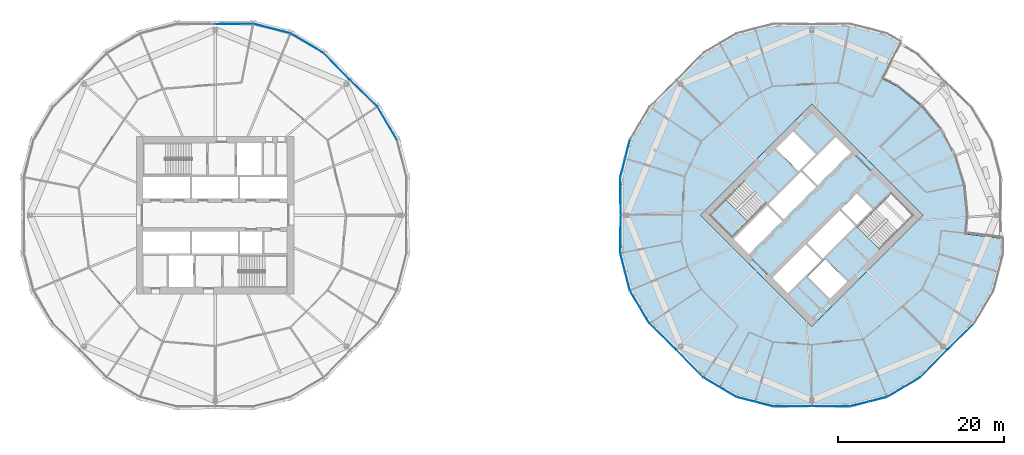
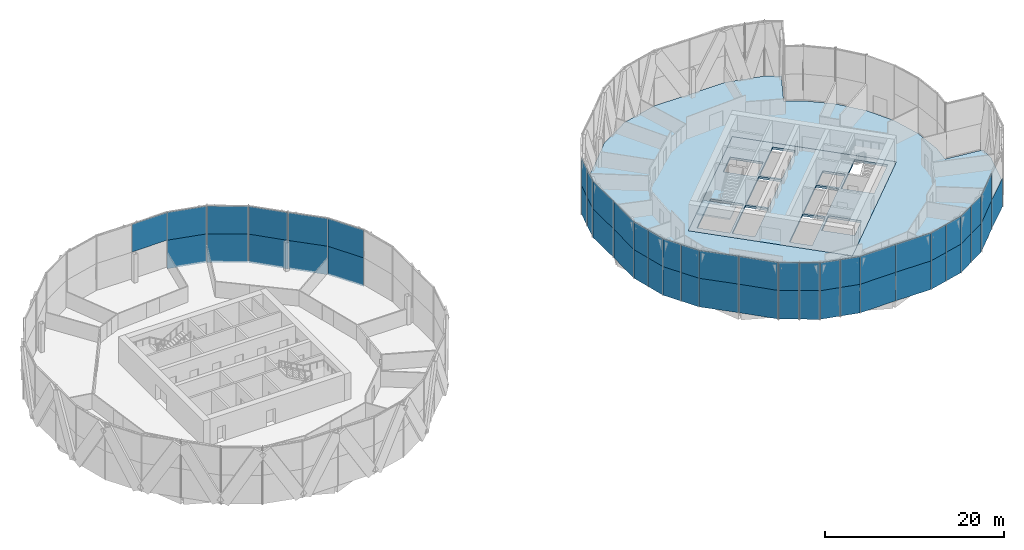
# One storey, part 17 of 27: 54 plates, 3 slabs, 8 elements without a shape of their own.
"""IFC4 building model written with IfcOpenShell, lengths in metres."""

from ifc_helpers import new_model, si_unit, direction, frame, origin, origin_2d, place, context, subcontext, project, spatial, polyline, rectangle, outline, extrude, material, layer, layer_set, type_object, element, aggregate, save


model = new_model("IFC4")

# Units and contexts
model_context = context("Model", 3, precision=1e-05, world=origin(), true_north=direction((0.0, 1.0)))
body_context = subcontext(model_context, "Body", "Model", "MODEL_VIEW")
ifc_project = project(units=[si_unit("LENGTHUNIT", "METRE"), si_unit("AREAUNIT", "SQUARE_METRE"), si_unit("VOLUMEUNIT", "CUBIC_METRE"), si_unit("PLANEANGLEUNIT", "RADIAN"), si_unit("MASSUNIT", "GRAM", prefix="KILO")], contexts=[model_context])

# Site, building, storey
site_placement = place(None, origin())
site = spatial("IfcSite", under=ifc_project, at=site_placement, CompositionType="ELEMENT")
building_placement = place(site_placement, origin())
building = spatial("IfcBuilding", under=site, at=building_placement, Name="Ogive Gate Towers", CompositionType="ELEMENT")
storey_placement = place(building_placement, frame((0.0, 0.0, 123.0)))
storey = spatial("IfcBuildingStorey", under=building, at=storey_placement, Name="L29", CompositionType="ELEMENT", Elevation=123.0)

# Slabs
ifc_material_1 = material(Name="Concrete C40/50", Category="concrete")
ifc_layer_1 = layer(ifc_material_1, 0.300048828125)
ifc_layer_set_1 = layer_set([ifc_layer_1], Name="Core slab C40/50 300 mm")
slab_type_1 = type_object("IfcSlabType", Name="Core slab C40/50 300 mm", PredefinedType="FLOOR", material=ifc_layer_set_1)
slab_1_placement = place(storey_placement, frame((0.0, 0.0, -0.300048828125)))
element("IfcSlab", 1, at=slab_1_placement, inside=storey, type_object=slab_type_1, Name="T2 L29 core slab", PredefinedType="FLOOR", context=body_context, shape_type="SweptSolid", body=[
    extrude(outline(polyline([(36.0, 13.43505859375), (49.43505859375, 0.0), (36.0, -13.43505859375), (22.56494140625, 0.0), (36.0, 13.43505859375)]), holes=[polyline([(30.590576171875, 1.13134765625), (26.577880859375, -2.881591796875), (28.43408203125, -4.737548828125), (32.44677734375, -0.724853515625), (30.590576171875, 1.13134765625)]), polyline([(36.548095703125, 3.37646484375), (34.69189453125, 5.232666015625), (30.767333984375, 1.30810546875), (32.62353515625, -0.548095703125), (36.548095703125, 3.37646484375)]), polyline([(36.724853515625, 3.55322265625), (40.737548828125, 7.56591796875), (38.881591796875, 9.422119140625), (34.86865234375, 5.409423828125), (36.724853515625, 3.55322265625)]), polyline([(31.262451171875, -7.56591796875), (33.118408203125, -9.422119140625), (37.13134765625, -5.409423828125), (35.275146484375, -3.55322265625), (31.262451171875, -7.56591796875)]), polyline([(39.37646484375, 0.548095703125), (35.451904296875, -3.37646484375), (37.30810546875, -5.232666015625), (41.232666015625, -1.30810546875), (39.37646484375, 0.548095703125)]), polyline([(43.283203125, 0.742431640625), (41.427001953125, 2.5986328125), (39.55322265625, 0.724853515625), (41.409423828125, -1.13134765625), (43.283203125, 0.742431640625)]), polyline([(34.408935546875, 5.30322265625), (36.4951171875, 7.389404296875), (33.790283203125, 10.093994140625), (31.704345703125, 8.008056640625), (34.408935546875, 5.30322265625)]), polyline([(35.5048828125, -7.389404296875), (38.209716796875, -10.093994140625), (40.295654296875, -8.008056640625), (37.591064453125, -5.30322265625), (35.5048828125, -7.389404296875)]), polyline([(26.40087890625, -2.70458984375), (30.512939453125, 1.406982421875), (27.80810546875, 4.11181640625), (23.6962890625, 0.0), (26.40087890625, -2.70458984375)]), polyline([(48.3037109375, 0.0), (45.59912109375, 2.70458984375), (41.487060546875, -1.406982421875), (44.19189453125, -4.11181640625), (48.3037109375, 0.0)])]), origin(), (0.0, 0.0, 1.0), 0.300048828125),
])
ifc_material_2 = material(Name="Concrete C35/45", Category="concrete")
ifc_layer_2 = layer(ifc_material_2, 0.300048828125)
ifc_layer_set_2 = layer_set([ifc_layer_2], Name="Floor slab 300")
slab_type_2 = type_object("IfcSlabType", Name="Floor slab 300", PredefinedType="FLOOR", material=ifc_layer_set_2)
slab_2_placement = place(storey_placement, frame((0.0, 0.0, -0.300048828125)))
element("IfcSlab", 2, at=slab_2_placement, inside=storey, type_object=slab_type_2, Name="T2/L29/SSL001", PredefinedType="FLOOR", context=body_context, shape_type="SweptSolid", body=[
    extrude(outline(polyline([(57.849853515625, -9.050537109375), (58.99951171875, -4.574951171875), (58.98046875, -2.821533203125), (54.42724609375, -2.262451171875), (54.64990234375, 0.0), (54.291748046875, 3.638427734375), (53.23046875, 7.136962890625), (51.5068359375, 10.361328125), (49.1875, 13.1875), (46.361328125, 15.5068359375), (44.427734375, 16.54052734375), (46.65087890625, 20.903564453125), (45.050537109375, 21.849853515625), (40.574951171875, 22.99951171875), (36.0, 22.949951171875), (31.425048828125, 22.99951171875), (26.949462890625, 21.849853515625), (22.971923828125, 19.498046875), (19.77197265625, 16.22802734375), (16.501953125, 13.028076171875), (14.150146484375, 9.050537109375), (13.00048828125, 4.574951171875), (13.050048828125, 0.0), (13.00048828125, -4.574951171875), (14.150146484375, -9.050537109375), (16.501953125, -13.028076171875), (19.77197265625, -16.22802734375), (22.971923828125, -19.498046875), (26.949462890625, -21.849853515625), (31.425048828125, -22.99951171875), (36.0, -22.949951171875), (40.574951171875, -22.99951171875), (45.050537109375, -21.849853515625), (49.028076171875, -19.498046875), (52.22802734375, -16.22802734375), (55.498046875, -13.028076171875), (57.849853515625, -9.050537109375)]), holes=[polyline([(49.43505859375, 0.0), (36.0, -13.43505859375), (22.56494140625, 0.0), (36.0, 13.43505859375), (49.43505859375, 0.0)])]), origin(), (0.0, 0.0, 1.0), 0.300048828125),
])

# Stair, slab
stair_type = type_object("IfcStairType", Name="Escape stair 1840 wide", PredefinedType="HALF_TURN_STAIR", material=ifc_material_1)
stair_placement = place(storey_placement, origin())
stair = element("IfcStair", 3, at=stair_placement, inside=storey, type_object=stair_type, Name="L29 Escape stair 1", PredefinedType="HALF_TURN_STAIR")
ifc_layer_3 = layer(ifc_material_1, 0.199951171875)
ifc_layer_set_3 = layer_set([ifc_layer_3], Name="Stair landing 200 mm")
slab_type_3 = type_object("IfcSlabType", Name="Stair landing 200 mm", PredefinedType="LANDING", material=ifc_layer_set_3)
slab_3_placement = place(storey_placement, frame((0.0, 0.0, 1.75)))
slab_3 = element("IfcSlab", 4, at=slab_3_placement, type_object=slab_type_3, Name="ST1 landing 1", PredefinedType="LANDING", context=body_context, shape_type="SweptSolid", body=[
    extrude(outline(polyline([(25.6044921875, 1.908203125), (23.6962890625, 0.0), (26.401123046875, -2.70458984375), (28.309326171875, -0.79638671875), (25.6044921875, 1.908203125)])), origin(), (0.0, 0.0, 1.0), 0.199951171875),
])
aggregate(stair, [slab_3])

# Curtain wall, plates
ifc_material_3 = material(Name="Pale metal aluminium", Category="aluminium")
curtain_wall_type = type_object("IfcCurtainWallType", Name="Tower unitised wall, low zone", PredefinedType="NOTDEFINED", material=ifc_material_3)
curtain_wall_1_placement = place(storey_placement, origin())
curtain_wall_1 = element("IfcCurtainWall", 5, at=curtain_wall_1_placement, inside=storey, type_object=curtain_wall_type, Name="CW1 T1 ECW01", PredefinedType="NOTDEFINED")
ifc_material_4 = material(Name="Clear glass", Category="glass")
ifc_layer_4 = layer(ifc_material_4, 0.028076171875)
ifc_layer_set_4 = layer_set([ifc_layer_4], Name="Tower unitised wall, low zone glass panel")
plate_type = type_object("IfcPlateType", Name="Tower unitised wall, low zone glass panel", PredefinedType="CURTAIN_PANEL", material=ifc_layer_set_4)
plate_1_placement = place(storey_placement, frame((-15.23974609375, 11.08984375, -0.300048828125), z_axis=(0.0, 0.0, 1.0), x_axis=(-0.508951276265, 0.860795328977, 0.0)))
plate_1 = element("IfcPlate", 6, at=plate_1_placement, type_object=plate_type, Name="CW1 glass panel", PredefinedType="CURTAIN_PANEL", context=body_context, shape_type="SweptSolid", body=[
    extrude(rectangle(XDim=4.58642578125, YDim=0.028076171875, at=origin_2d()), origin(), (0.0, 0.0, 1.0), 3.89990234375),
])
plate_2_placement = place(storey_placement, frame((-15.23974609375, 11.08984375, 3.60009765625), z_axis=(0.0, 0.0, 1.0), x_axis=(-0.508951276265, 0.860795328977, 0.0)))
plate_2 = element("IfcPlate", 7, at=plate_2_placement, type_object=plate_type, Name="CW1 glass panel", PredefinedType="CURTAIN_PANEL", context=body_context, shape_type="SweptSolid", body=[
    extrude(rectangle(XDim=4.58642578125, YDim=0.028076171875, at=origin_2d()), origin(), (0.0, 0.0, 1.0), 3.803955078125),
])
plate_3_placement = place(storey_placement, frame((-18.063232421875, 14.69580078125, -0.300048828125), z_axis=(0.0, 0.0, 1.0), x_axis=(-0.714704657494, 0.699426373935, 0.0)))
plate_3 = element("IfcPlate", 8, at=plate_3_placement, type_object=plate_type, Name="CW1 glass panel", PredefinedType="CURTAIN_PANEL", context=body_context, shape_type="SweptSolid", body=[
    extrude(rectangle(XDim=4.529296875, YDim=0.028076171875, at=origin_2d()), origin(), (0.0, 0.0, 1.0), 3.89990234375),
])
plate_4_placement = place(storey_placement, frame((-18.063232421875, 14.69580078125, 3.60009765625), z_axis=(0.0, 0.0, 1.0), x_axis=(-0.714704657494, 0.699426373935, 0.0)))
plate_4 = element("IfcPlate", 9, at=plate_4_placement, type_object=plate_type, Name="CW1 glass panel", PredefinedType="CURTAIN_PANEL", context=body_context, shape_type="SweptSolid", body=[
    extrude(rectangle(XDim=4.529296875, YDim=0.028076171875, at=origin_2d()), origin(), (0.0, 0.0, 1.0), 3.803955078125),
])
aggregate(curtain_wall_1, [plate_1, plate_2, plate_3, plate_4])

curtain_wall_2_placement = place(storey_placement, origin())
curtain_wall_2 = element("IfcCurtainWall", 10, at=curtain_wall_2_placement, inside=storey, type_object=curtain_wall_type, Name="CW1 T1 ECW02", PredefinedType="NOTDEFINED")
plate_5_placement = place(storey_placement, frame((-21.30419921875, 17.936767578125, -0.300048828125), z_axis=(0.0, 0.0, 1.0), x_axis=(-0.699426373935, 0.714704657494, 0.0)))
plate_5 = element("IfcPlate", 11, at=plate_5_placement, type_object=plate_type, Name="CW1 glass panel", PredefinedType="CURTAIN_PANEL", context=body_context, shape_type="SweptSolid", body=[
    extrude(rectangle(XDim=4.529296875, YDim=0.028076171875, at=origin_2d()), origin(), (0.0, 0.0, 1.0), 3.89990234375),
])
plate_6_placement = place(storey_placement, frame((-21.30419921875, 17.936767578125, 3.60009765625), z_axis=(0.0, 0.0, 1.0), x_axis=(-0.699426373935, 0.714704657494, 0.0)))
plate_6 = element("IfcPlate", 12, at=plate_6_placement, type_object=plate_type, Name="CW1 glass panel", PredefinedType="CURTAIN_PANEL", context=body_context, shape_type="SweptSolid", body=[
    extrude(rectangle(XDim=4.529296875, YDim=0.028076171875, at=origin_2d()), origin(), (0.0, 0.0, 1.0), 3.803955078125),
])
plate_7_placement = place(storey_placement, frame((-24.91015625, 20.76025390625, -0.300048828125), z_axis=(0.0, 0.0, 1.0), x_axis=(-0.860795328977, 0.508951276265, 0.0)))
plate_7 = element("IfcPlate", 13, at=plate_7_placement, type_object=plate_type, Name="CW1 glass panel", PredefinedType="CURTAIN_PANEL", context=body_context, shape_type="SweptSolid", body=[
    extrude(rectangle(XDim=4.58642578125, YDim=0.028076171875, at=origin_2d()), origin(), (0.0, 0.0, 1.0), 3.89990234375),
])
plate_8_placement = place(storey_placement, frame((-24.91015625, 20.76025390625, 3.60009765625), z_axis=(0.0, 0.0, 1.0), x_axis=(-0.860795328977, 0.508951276265, 0.0)))
plate_8 = element("IfcPlate", 14, at=plate_8_placement, type_object=plate_type, Name="CW1 glass panel", PredefinedType="CURTAIN_PANEL", context=body_context, shape_type="SweptSolid", body=[
    extrude(rectangle(XDim=4.58642578125, YDim=0.028076171875, at=origin_2d()), origin(), (0.0, 0.0, 1.0), 3.803955078125),
])
plate_9_placement = place(storey_placement, frame((-29.162109375, 22.521484375, -0.300048828125), z_axis=(0.0, 0.0, 1.0), x_axis=(-0.968552770699, 0.248808220065, 0.0)))
plate_9 = element("IfcPlate", 15, at=plate_9_placement, type_object=plate_type, Name="CW1 glass panel", PredefinedType="CURTAIN_PANEL", context=body_context, shape_type="SweptSolid", body=[
    extrude(rectangle(XDim=4.58642578125, YDim=0.028076171875, at=origin_2d()), origin(), (0.0, 0.0, 1.0), 3.89990234375),
])
plate_10_placement = place(storey_placement, frame((-29.162109375, 22.521484375, 3.60009765625), z_axis=(0.0, 0.0, 1.0), x_axis=(-0.968552770699, 0.248808220065, 0.0)))
plate_10 = element("IfcPlate", 16, at=plate_10_placement, type_object=plate_type, Name="CW1 glass panel", PredefinedType="CURTAIN_PANEL", context=body_context, shape_type="SweptSolid", body=[
    extrude(rectangle(XDim=4.58642578125, YDim=0.028076171875, at=origin_2d()), origin(), (0.0, 0.0, 1.0), 3.803955078125),
])
plate_11_placement = place(storey_placement, frame((-33.70849609375, 23.07470703125, 3.60009765625), z_axis=(0.0, 0.0, 1.0), x_axis=(-0.999941453103, -0.010820830182, 0.0)))
plate_11 = element("IfcPlate", 17, at=plate_11_placement, type_object=plate_type, Name="CW1 glass panel", PredefinedType="CURTAIN_PANEL", context=body_context, shape_type="SweptSolid", body=[
    extrude(rectangle(XDim=4.529296875, YDim=0.028076171875, at=origin_2d()), origin(), (0.0, 0.0, 1.0), 3.803955078125),
])
aggregate(curtain_wall_2, [plate_5, plate_6, plate_7, plate_8, plate_9, plate_10, plate_11])

curtain_wall_3_placement = place(storey_placement, origin())
curtain_wall_3 = element("IfcCurtainWall", 18, at=curtain_wall_3_placement, inside=storey, type_object=curtain_wall_type, Name="CW1 T2 ECW06", PredefinedType="NOTDEFINED")
plate_12_placement = place(storey_placement, frame((12.92529296875, 2.29150390625, -0.300048828125), z_axis=(0.0, 0.0, 1.0), x_axis=(-0.010820830182, 0.999941453103, 0.0)))
plate_12 = element("IfcPlate", 19, at=plate_12_placement, type_object=plate_type, Name="CW1 glass panel", PredefinedType="CURTAIN_PANEL", context=body_context, shape_type="SweptSolid", body=[
    extrude(rectangle(XDim=4.529296875, YDim=0.028076171875, at=origin_2d()), origin(), (0.0, 0.0, 1.0), 3.89990234375),
])
plate_13_placement = place(storey_placement, frame((12.92529296875, 2.29150390625, 3.60009765625), z_axis=(0.0, 0.0, 1.0), x_axis=(-0.010820830182, 0.999941453103, 0.0)))
plate_13 = element("IfcPlate", 20, at=plate_13_placement, type_object=plate_type, Name="CW1 glass panel", PredefinedType="CURTAIN_PANEL", context=body_context, shape_type="SweptSolid", body=[
    extrude(rectangle(XDim=4.529296875, YDim=0.028076171875, at=origin_2d()), origin(), (0.0, 0.0, 1.0), 3.803955078125),
])
plate_14_placement = place(storey_placement, frame((13.18994140625, 5.71435546875, -0.300048828125), z_axis=(0.0, 0.0, 1.0), x_axis=(0.248825124462, 0.968548428028, 0.0)))
plate_14 = element("IfcPlate", 21, at=plate_14_placement, type_object=plate_type, Name="CW1 glass panel", PredefinedType="CURTAIN_PANEL", context=body_context, shape_type="SweptSolid", body=[
    extrude(rectangle(XDim=2.266357421875, YDim=0.028076171875, at=origin_2d()), origin(), (0.0, 0.0, 1.0), 3.89990234375),
])
plate_15_placement = place(storey_placement, frame((13.18994140625, 5.71435546875, 3.60009765625), z_axis=(0.0, 0.0, 1.0), x_axis=(0.248825124462, 0.968548428028, 0.0)))
plate_15 = element("IfcPlate", 22, at=plate_15_placement, type_object=plate_type, Name="CW1 glass panel", PredefinedType="CURTAIN_PANEL", context=body_context, shape_type="SweptSolid", body=[
    extrude(rectangle(XDim=2.266357421875, YDim=0.028076171875, at=origin_2d()), origin(), (0.0, 0.0, 1.0), 3.803955078125),
])
plate_16_placement = place(storey_placement, frame((13.767333984375, 7.961669921875, -0.300048828125), z_axis=(0.0, 0.0, 1.0), x_axis=(0.248774411044, 0.968561455154, 0.0)))
plate_16 = element("IfcPlate", 23, at=plate_16_placement, type_object=plate_type, Name="CW1 glass panel", PredefinedType="CURTAIN_PANEL", context=body_context, shape_type="SweptSolid", body=[
    extrude(rectangle(XDim=2.26611328125, YDim=0.028076171875, at=origin_2d()), origin(), (0.0, 0.0, 1.0), 3.89990234375),
])
plate_17_placement = place(storey_placement, frame((13.767333984375, 7.961669921875, 3.60009765625), z_axis=(0.0, 0.0, 1.0), x_axis=(0.248774411044, 0.968561455154, 0.0)))
plate_17 = element("IfcPlate", 24, at=plate_17_placement, type_object=plate_type, Name="CW1 glass panel", PredefinedType="CURTAIN_PANEL", context=body_context, shape_type="SweptSolid", body=[
    extrude(rectangle(XDim=2.26611328125, YDim=0.028076171875, at=origin_2d()), origin(), (0.0, 0.0, 1.0), 3.803955078125),
])
aggregate(curtain_wall_3, [plate_12, plate_13, plate_14, plate_15, plate_16, plate_17])

curtain_wall_4_placement = place(storey_placement, origin())
curtain_wall_4 = element("IfcCurtainWall", 25, at=curtain_wall_4_placement, inside=storey, type_object=curtain_wall_type, Name="CW1 T2 ECW07", PredefinedType="NOTDEFINED")
plate_18_placement = place(storey_placement, frame((18.063232421875, -14.69580078125, -0.300048828125), z_axis=(0.0, 0.0, 1.0), x_axis=(-0.714704657494, 0.699426373935, 0.0)))
plate_18 = element("IfcPlate", 26, at=plate_18_placement, type_object=plate_type, Name="CW1 glass panel", PredefinedType="CURTAIN_PANEL", context=body_context, shape_type="SweptSolid", body=[
    extrude(rectangle(XDim=4.529296875, YDim=0.028076171875, at=origin_2d()), origin(), (0.0, 0.0, 1.0), 3.89990234375),
])
plate_19_placement = place(storey_placement, frame((18.063232421875, -14.69580078125, 3.60009765625), z_axis=(0.0, 0.0, 1.0), x_axis=(-0.714704657494, 0.699426373935, 0.0)))
plate_19 = element("IfcPlate", 27, at=plate_19_placement, type_object=plate_type, Name="CW1 glass panel", PredefinedType="CURTAIN_PANEL", context=body_context, shape_type="SweptSolid", body=[
    extrude(rectangle(XDim=4.529296875, YDim=0.028076171875, at=origin_2d()), origin(), (0.0, 0.0, 1.0), 3.803955078125),
])
plate_20_placement = place(storey_placement, frame((15.830322265625, -12.08837890625, -0.300048828125), z_axis=(0.0, 0.0, 1.0), x_axis=(-0.508936252475, 0.860804211721, 0.0)))
plate_20 = element("IfcPlate", 28, at=plate_20_placement, type_object=plate_type, Name="CW1 glass panel", PredefinedType="CURTAIN_PANEL", context=body_context, shape_type="SweptSolid", body=[
    extrude(rectangle(XDim=2.266357421875, YDim=0.028076171875, at=origin_2d()), origin(), (0.0, 0.0, 1.0), 3.89990234375),
])
plate_21_placement = place(storey_placement, frame((15.830322265625, -12.08837890625, 3.60009765625), z_axis=(0.0, 0.0, 1.0), x_axis=(-0.508936252475, 0.860804211721, 0.0)))
plate_21 = element("IfcPlate", 29, at=plate_21_placement, type_object=plate_type, Name="CW1 glass panel", PredefinedType="CURTAIN_PANEL", context=body_context, shape_type="SweptSolid", body=[
    extrude(rectangle(XDim=2.266357421875, YDim=0.028076171875, at=origin_2d()), origin(), (0.0, 0.0, 1.0), 3.803955078125),
])
plate_22_placement = place(storey_placement, frame((14.6494140625, -10.091064453125, -0.300048828125), z_axis=(0.0, 0.0, 1.0), x_axis=(-0.5089662999, 0.86078644597, 0.0)))
plate_22 = element("IfcPlate", 30, at=plate_22_placement, type_object=plate_type, Name="CW1 glass panel", PredefinedType="CURTAIN_PANEL", context=body_context, shape_type="SweptSolid", body=[
    extrude(rectangle(XDim=2.26611328125, YDim=0.028076171875, at=origin_2d()), origin(), (0.0, 0.0, 1.0), 3.89990234375),
])
plate_23_placement = place(storey_placement, frame((14.6494140625, -10.091064453125, 3.60009765625), z_axis=(0.0, 0.0, 1.0), x_axis=(-0.5089662999, 0.86078644597, 0.0)))
plate_23 = element("IfcPlate", 31, at=plate_23_placement, type_object=plate_type, Name="CW1 glass panel", PredefinedType="CURTAIN_PANEL", context=body_context, shape_type="SweptSolid", body=[
    extrude(rectangle(XDim=2.26611328125, YDim=0.028076171875, at=origin_2d()), origin(), (0.0, 0.0, 1.0), 3.803955078125),
])
plate_24_placement = place(storey_placement, frame((13.767333984375, -7.961669921875, -0.300048828125), z_axis=(0.0, 0.0, 1.0), x_axis=(-0.248774411044, 0.968561455154, 0.0)))
plate_24 = element("IfcPlate", 32, at=plate_24_placement, type_object=plate_type, Name="CW1 glass panel", PredefinedType="CURTAIN_PANEL", context=body_context, shape_type="SweptSolid", body=[
    extrude(rectangle(XDim=2.26611328125, YDim=0.028076171875, at=origin_2d()), origin(), (0.0, 0.0, 1.0), 3.89990234375),
])
plate_25_placement = place(storey_placement, frame((13.767333984375, -7.961669921875, 3.60009765625), z_axis=(0.0, 0.0, 1.0), x_axis=(-0.248774411044, 0.968561455154, 0.0)))
plate_25 = element("IfcPlate", 33, at=plate_25_placement, type_object=plate_type, Name="CW1 glass panel", PredefinedType="CURTAIN_PANEL", context=body_context, shape_type="SweptSolid", body=[
    extrude(rectangle(XDim=2.26611328125, YDim=0.028076171875, at=origin_2d()), origin(), (0.0, 0.0, 1.0), 3.803955078125),
])
plate_26_placement = place(storey_placement, frame((13.18994140625, -5.71435546875, -0.300048828125), z_axis=(0.0, 0.0, 1.0), x_axis=(-0.248825124462, 0.968548428028, 0.0)))
plate_26 = element("IfcPlate", 34, at=plate_26_placement, type_object=plate_type, Name="CW1 glass panel", PredefinedType="CURTAIN_PANEL", context=body_context, shape_type="SweptSolid", body=[
    extrude(rectangle(XDim=2.266357421875, YDim=0.028076171875, at=origin_2d()), origin(), (0.0, 0.0, 1.0), 3.89990234375),
])
plate_27_placement = place(storey_placement, frame((13.18994140625, -5.71435546875, 3.60009765625), z_axis=(0.0, 0.0, 1.0), x_axis=(-0.248825124462, 0.968548428028, 0.0)))
plate_27 = element("IfcPlate", 35, at=plate_27_placement, type_object=plate_type, Name="CW1 glass panel", PredefinedType="CURTAIN_PANEL", context=body_context, shape_type="SweptSolid", body=[
    extrude(rectangle(XDim=2.266357421875, YDim=0.028076171875, at=origin_2d()), origin(), (0.0, 0.0, 1.0), 3.803955078125),
])
plate_28_placement = place(storey_placement, frame((12.92529296875, -2.29150390625, -0.300048828125), z_axis=(0.0, 0.0, 1.0), x_axis=(0.010820830182, 0.999941453103, 0.0)))
plate_28 = element("IfcPlate", 36, at=plate_28_placement, type_object=plate_type, Name="CW1 glass panel", PredefinedType="CURTAIN_PANEL", context=body_context, shape_type="SweptSolid", body=[
    extrude(rectangle(XDim=4.529296875, YDim=0.028076171875, at=origin_2d()), origin(), (0.0, 0.0, 1.0), 3.89990234375),
])
plate_29_placement = place(storey_placement, frame((12.92529296875, -2.29150390625, 3.60009765625), z_axis=(0.0, 0.0, 1.0), x_axis=(0.010820830182, 0.999941453103, 0.0)))
plate_29 = element("IfcPlate", 37, at=plate_29_placement, type_object=plate_type, Name="CW1 glass panel", PredefinedType="CURTAIN_PANEL", context=body_context, shape_type="SweptSolid", body=[
    extrude(rectangle(XDim=4.529296875, YDim=0.028076171875, at=origin_2d()), origin(), (0.0, 0.0, 1.0), 3.803955078125),
])
aggregate(curtain_wall_4, [plate_18, plate_19, plate_20, plate_21, plate_22, plate_23, plate_24, plate_25, plate_26, plate_27, plate_28, plate_29])

curtain_wall_5_placement = place(storey_placement, origin())
curtain_wall_5 = element("IfcCurtainWall", 38, at=curtain_wall_5_placement, inside=storey, type_object=curtain_wall_type, Name="CW1 T2 ECW08", PredefinedType="NOTDEFINED")
plate_30_placement = place(storey_placement, frame((33.70849609375, -23.07470703125, -0.300048828125), z_axis=(0.0, 0.0, 1.0), x_axis=(-0.999941453103, -0.010820830182, 0.0)))
plate_30 = element("IfcPlate", 39, at=plate_30_placement, type_object=plate_type, Name="CW1 glass panel", PredefinedType="CURTAIN_PANEL", context=body_context, shape_type="SweptSolid", body=[
    extrude(rectangle(XDim=4.529296875, YDim=0.028076171875, at=origin_2d()), origin(), (0.0, 0.0, 1.0), 3.89990234375),
])
plate_31_placement = place(storey_placement, frame((33.70849609375, -23.07470703125, 3.60009765625), z_axis=(0.0, 0.0, 1.0), x_axis=(-0.999941453103, -0.010820830182, 0.0)))
plate_31 = element("IfcPlate", 40, at=plate_31_placement, type_object=plate_type, Name="CW1 glass panel", PredefinedType="CURTAIN_PANEL", context=body_context, shape_type="SweptSolid", body=[
    extrude(rectangle(XDim=4.529296875, YDim=0.028076171875, at=origin_2d()), origin(), (0.0, 0.0, 1.0), 3.803955078125),
])
plate_32_placement = place(storey_placement, frame((30.28564453125, -22.81005859375, -0.300048828125), z_axis=(0.0, 0.0, 1.0), x_axis=(-0.968548428028, 0.248825124462, 0.0)))
plate_32 = element("IfcPlate", 41, at=plate_32_placement, type_object=plate_type, Name="CW1 glass panel", PredefinedType="CURTAIN_PANEL", context=body_context, shape_type="SweptSolid", body=[
    extrude(rectangle(XDim=2.266357421875, YDim=0.028076171875, at=origin_2d()), origin(), (0.0, 0.0, 1.0), 3.89990234375),
])
plate_33_placement = place(storey_placement, frame((30.28564453125, -22.81005859375, 3.60009765625), z_axis=(0.0, 0.0, 1.0), x_axis=(-0.968548428028, 0.248825124462, 0.0)))
plate_33 = element("IfcPlate", 42, at=plate_33_placement, type_object=plate_type, Name="CW1 glass panel", PredefinedType="CURTAIN_PANEL", context=body_context, shape_type="SweptSolid", body=[
    extrude(rectangle(XDim=2.266357421875, YDim=0.028076171875, at=origin_2d()), origin(), (0.0, 0.0, 1.0), 3.803955078125),
])
plate_34_placement = place(storey_placement, frame((28.038330078125, -22.232666015625, -0.300048828125), z_axis=(0.0, 0.0, 1.0), x_axis=(-0.968561455154, 0.248774411044, 0.0)))
plate_34 = element("IfcPlate", 43, at=plate_34_placement, type_object=plate_type, Name="CW1 glass panel", PredefinedType="CURTAIN_PANEL", context=body_context, shape_type="SweptSolid", body=[
    extrude(rectangle(XDim=2.26611328125, YDim=0.028076171875, at=origin_2d()), origin(), (0.0, 0.0, 1.0), 3.89990234375),
])
plate_35_placement = place(storey_placement, frame((28.038330078125, -22.232666015625, 3.60009765625), z_axis=(0.0, 0.0, 1.0), x_axis=(-0.968561455154, 0.248774411044, 0.0)))
plate_35 = element("IfcPlate", 44, at=plate_35_placement, type_object=plate_type, Name="CW1 glass panel", PredefinedType="CURTAIN_PANEL", context=body_context, shape_type="SweptSolid", body=[
    extrude(rectangle(XDim=2.26611328125, YDim=0.028076171875, at=origin_2d()), origin(), (0.0, 0.0, 1.0), 3.803955078125),
])
plate_36_placement = place(storey_placement, frame((25.908935546875, -21.3505859375, -0.300048828125), z_axis=(0.0, 0.0, 1.0), x_axis=(-0.86078644597, 0.5089662999, 0.0)))
plate_36 = element("IfcPlate", 45, at=plate_36_placement, type_object=plate_type, Name="CW1 glass panel", PredefinedType="CURTAIN_PANEL", context=body_context, shape_type="SweptSolid", body=[
    extrude(rectangle(XDim=2.26611328125, YDim=0.028076171875, at=origin_2d()), origin(), (0.0, 0.0, 1.0), 3.89990234375),
])
plate_37_placement = place(storey_placement, frame((25.908935546875, -21.3505859375, 3.60009765625), z_axis=(0.0, 0.0, 1.0), x_axis=(-0.86078644597, 0.5089662999, 0.0)))
plate_37 = element("IfcPlate", 46, at=plate_37_placement, type_object=plate_type, Name="CW1 glass panel", PredefinedType="CURTAIN_PANEL", context=body_context, shape_type="SweptSolid", body=[
    extrude(rectangle(XDim=2.26611328125, YDim=0.028076171875, at=origin_2d()), origin(), (0.0, 0.0, 1.0), 3.803955078125),
])
plate_38_placement = place(storey_placement, frame((23.91162109375, -20.169677734375, -0.300048828125), z_axis=(0.0, 0.0, 1.0), x_axis=(-0.860804211721, 0.508936252475, 0.0)))
plate_38 = element("IfcPlate", 47, at=plate_38_placement, type_object=plate_type, Name="CW1 glass panel", PredefinedType="CURTAIN_PANEL", context=body_context, shape_type="SweptSolid", body=[
    extrude(rectangle(XDim=2.266357421875, YDim=0.028076171875, at=origin_2d()), origin(), (0.0, 0.0, 1.0), 3.89990234375),
])
plate_39_placement = place(storey_placement, frame((23.91162109375, -20.169677734375, 3.60009765625), z_axis=(0.0, 0.0, 1.0), x_axis=(-0.860804211721, 0.508936252475, 0.0)))
plate_39 = element("IfcPlate", 48, at=plate_39_placement, type_object=plate_type, Name="CW1 glass panel", PredefinedType="CURTAIN_PANEL", context=body_context, shape_type="SweptSolid", body=[
    extrude(rectangle(XDim=2.266357421875, YDim=0.028076171875, at=origin_2d()), origin(), (0.0, 0.0, 1.0), 3.803955078125),
])
plate_40_placement = place(storey_placement, frame((21.30419921875, -17.936767578125, -0.300048828125), z_axis=(0.0, 0.0, 1.0), x_axis=(-0.699426373935, 0.714704657494, 0.0)))
plate_40 = element("IfcPlate", 49, at=plate_40_placement, type_object=plate_type, Name="CW1 glass panel", PredefinedType="CURTAIN_PANEL", context=body_context, shape_type="SweptSolid", body=[
    extrude(rectangle(XDim=4.529296875, YDim=0.028076171875, at=origin_2d()), origin(), (0.0, 0.0, 1.0), 3.89990234375),
])
plate_41_placement = place(storey_placement, frame((21.30419921875, -17.936767578125, 3.60009765625), z_axis=(0.0, 0.0, 1.0), x_axis=(-0.699426373935, 0.714704657494, 0.0)))
plate_41 = element("IfcPlate", 50, at=plate_41_placement, type_object=plate_type, Name="CW1 glass panel", PredefinedType="CURTAIN_PANEL", context=body_context, shape_type="SweptSolid", body=[
    extrude(rectangle(XDim=4.529296875, YDim=0.028076171875, at=origin_2d()), origin(), (0.0, 0.0, 1.0), 3.803955078125),
])
aggregate(curtain_wall_5, [plate_30, plate_31, plate_32, plate_33, plate_34, plate_35, plate_36, plate_37, plate_38, plate_39, plate_40, plate_41])

curtain_wall_6_placement = place(storey_placement, origin())
curtain_wall_6 = element("IfcCurtainWall", 51, at=curtain_wall_6_placement, inside=storey, type_object=curtain_wall_type, Name="CW1 T2 ECW09", PredefinedType="NOTDEFINED")
plate_42_placement = place(storey_placement, frame((50.69580078125, -17.936767578125, -0.300048828125), z_axis=(0.0, 0.0, 1.0), x_axis=(-0.699426373935, -0.714704657494, 0.0)))
plate_42 = element("IfcPlate", 52, at=plate_42_placement, type_object=plate_type, Name="CW1 glass panel", PredefinedType="CURTAIN_PANEL", context=body_context, shape_type="SweptSolid", body=[
    extrude(rectangle(XDim=4.529296875, YDim=0.028076171875, at=origin_2d()), origin(), (0.0, 0.0, 1.0), 3.89990234375),
])
plate_43_placement = place(storey_placement, frame((50.69580078125, -17.936767578125, 3.60009765625), z_axis=(0.0, 0.0, 1.0), x_axis=(-0.699426373935, -0.714704657494, 0.0)))
plate_43 = element("IfcPlate", 53, at=plate_43_placement, type_object=plate_type, Name="CW1 glass panel", PredefinedType="CURTAIN_PANEL", context=body_context, shape_type="SweptSolid", body=[
    extrude(rectangle(XDim=4.529296875, YDim=0.028076171875, at=origin_2d()), origin(), (0.0, 0.0, 1.0), 3.803955078125),
])
plate_44_placement = place(storey_placement, frame((48.08837890625, -20.169677734375, -0.300048828125), z_axis=(0.0, 0.0, 1.0), x_axis=(-0.860804211721, -0.508936252475, 0.0)))
plate_44 = element("IfcPlate", 54, at=plate_44_placement, type_object=plate_type, Name="CW1 glass panel", PredefinedType="CURTAIN_PANEL", context=body_context, shape_type="SweptSolid", body=[
    extrude(rectangle(XDim=2.266357421875, YDim=0.028076171875, at=origin_2d()), origin(), (0.0, 0.0, 1.0), 3.89990234375),
])
plate_45_placement = place(storey_placement, frame((48.08837890625, -20.169677734375, 3.60009765625), z_axis=(0.0, 0.0, 1.0), x_axis=(-0.860804211721, -0.508936252475, 0.0)))
plate_45 = element("IfcPlate", 55, at=plate_45_placement, type_object=plate_type, Name="CW1 glass panel", PredefinedType="CURTAIN_PANEL", context=body_context, shape_type="SweptSolid", body=[
    extrude(rectangle(XDim=2.266357421875, YDim=0.028076171875, at=origin_2d()), origin(), (0.0, 0.0, 1.0), 3.803955078125),
])
plate_46_placement = place(storey_placement, frame((46.091064453125, -21.3505859375, -0.300048828125), z_axis=(0.0, 0.0, 1.0), x_axis=(-0.86078644597, -0.5089662999, 0.0)))
plate_46 = element("IfcPlate", 56, at=plate_46_placement, type_object=plate_type, Name="CW1 glass panel", PredefinedType="CURTAIN_PANEL", context=body_context, shape_type="SweptSolid", body=[
    extrude(rectangle(XDim=2.26611328125, YDim=0.028076171875, at=origin_2d()), origin(), (0.0, 0.0, 1.0), 3.89990234375),
])
plate_47_placement = place(storey_placement, frame((46.091064453125, -21.3505859375, 3.60009765625), z_axis=(0.0, 0.0, 1.0), x_axis=(-0.86078644597, -0.5089662999, 0.0)))
plate_47 = element("IfcPlate", 57, at=plate_47_placement, type_object=plate_type, Name="CW1 glass panel", PredefinedType="CURTAIN_PANEL", context=body_context, shape_type="SweptSolid", body=[
    extrude(rectangle(XDim=2.26611328125, YDim=0.028076171875, at=origin_2d()), origin(), (0.0, 0.0, 1.0), 3.803955078125),
])
plate_48_placement = place(storey_placement, frame((43.961669921875, -22.232666015625, -0.300048828125), z_axis=(0.0, 0.0, 1.0), x_axis=(-0.968561455154, -0.248774411044, 0.0)))
plate_48 = element("IfcPlate", 58, at=plate_48_placement, type_object=plate_type, Name="CW1 glass panel", PredefinedType="CURTAIN_PANEL", context=body_context, shape_type="SweptSolid", body=[
    extrude(rectangle(XDim=2.26611328125, YDim=0.028076171875, at=origin_2d()), origin(), (0.0, 0.0, 1.0), 3.89990234375),
])
plate_49_placement = place(storey_placement, frame((43.961669921875, -22.232666015625, 3.60009765625), z_axis=(0.0, 0.0, 1.0), x_axis=(-0.968561455154, -0.248774411044, 0.0)))
plate_49 = element("IfcPlate", 59, at=plate_49_placement, type_object=plate_type, Name="CW1 glass panel", PredefinedType="CURTAIN_PANEL", context=body_context, shape_type="SweptSolid", body=[
    extrude(rectangle(XDim=2.26611328125, YDim=0.028076171875, at=origin_2d()), origin(), (0.0, 0.0, 1.0), 3.803955078125),
])
plate_50_placement = place(storey_placement, frame((41.71435546875, -22.81005859375, -0.300048828125), z_axis=(0.0, 0.0, 1.0), x_axis=(-0.968548428028, -0.248825124462, 0.0)))
plate_50 = element("IfcPlate", 60, at=plate_50_placement, type_object=plate_type, Name="CW1 glass panel", PredefinedType="CURTAIN_PANEL", context=body_context, shape_type="SweptSolid", body=[
    extrude(rectangle(XDim=2.266357421875, YDim=0.028076171875, at=origin_2d()), origin(), (0.0, 0.0, 1.0), 3.89990234375),
])
plate_51_placement = place(storey_placement, frame((41.71435546875, -22.81005859375, 3.60009765625), z_axis=(0.0, 0.0, 1.0), x_axis=(-0.968548428028, -0.248825124462, 0.0)))
plate_51 = element("IfcPlate", 61, at=plate_51_placement, type_object=plate_type, Name="CW1 glass panel", PredefinedType="CURTAIN_PANEL", context=body_context, shape_type="SweptSolid", body=[
    extrude(rectangle(XDim=2.266357421875, YDim=0.028076171875, at=origin_2d()), origin(), (0.0, 0.0, 1.0), 3.803955078125),
])
plate_52_placement = place(storey_placement, frame((38.29150390625, -23.07470703125, -0.300048828125), z_axis=(0.0, 0.0, 1.0), x_axis=(-0.999941453103, 0.010820830182, 0.0)))
plate_52 = element("IfcPlate", 62, at=plate_52_placement, type_object=plate_type, Name="CW1 glass panel", PredefinedType="CURTAIN_PANEL", context=body_context, shape_type="SweptSolid", body=[
    extrude(rectangle(XDim=4.529296875, YDim=0.028076171875, at=origin_2d()), origin(), (0.0, 0.0, 1.0), 3.89990234375),
])
plate_53_placement = place(storey_placement, frame((38.29150390625, -23.07470703125, 3.60009765625), z_axis=(0.0, 0.0, 1.0), x_axis=(-0.999941453103, 0.010820830182, 0.0)))
plate_53 = element("IfcPlate", 63, at=plate_53_placement, type_object=plate_type, Name="CW1 glass panel", PredefinedType="CURTAIN_PANEL", context=body_context, shape_type="SweptSolid", body=[
    extrude(rectangle(XDim=4.529296875, YDim=0.028076171875, at=origin_2d()), origin(), (0.0, 0.0, 1.0), 3.803955078125),
])
aggregate(curtain_wall_6, [plate_42, plate_43, plate_44, plate_45, plate_46, plate_47, plate_48, plate_49, plate_50, plate_51, plate_52, plate_53])

# Curtain wall, plate
curtain_wall_7_placement = place(storey_placement, origin())
curtain_wall_7 = element("IfcCurtainWall", 64, at=curtain_wall_7_placement, inside=storey, type_object=curtain_wall_type, Name="CW1 T2 ECW10", PredefinedType="NOTDEFINED")
plate_54_placement = place(storey_placement, frame((53.936767578125, -14.69580078125, -0.300048828125), z_axis=(0.0, 0.0, 1.0), x_axis=(-0.714704657494, -0.699426373935, 0.0)))
plate_54 = element("IfcPlate", 65, at=plate_54_placement, type_object=plate_type, Name="CW1 glass panel", PredefinedType="CURTAIN_PANEL", context=body_context, shape_type="SweptSolid", body=[
    extrude(rectangle(XDim=4.529296875, YDim=0.028076171875, at=origin_2d()), origin(), (0.0, 0.0, 1.0), 3.89990234375),
])
aggregate(curtain_wall_7, [plate_54])

save(model, "model.ifc")
